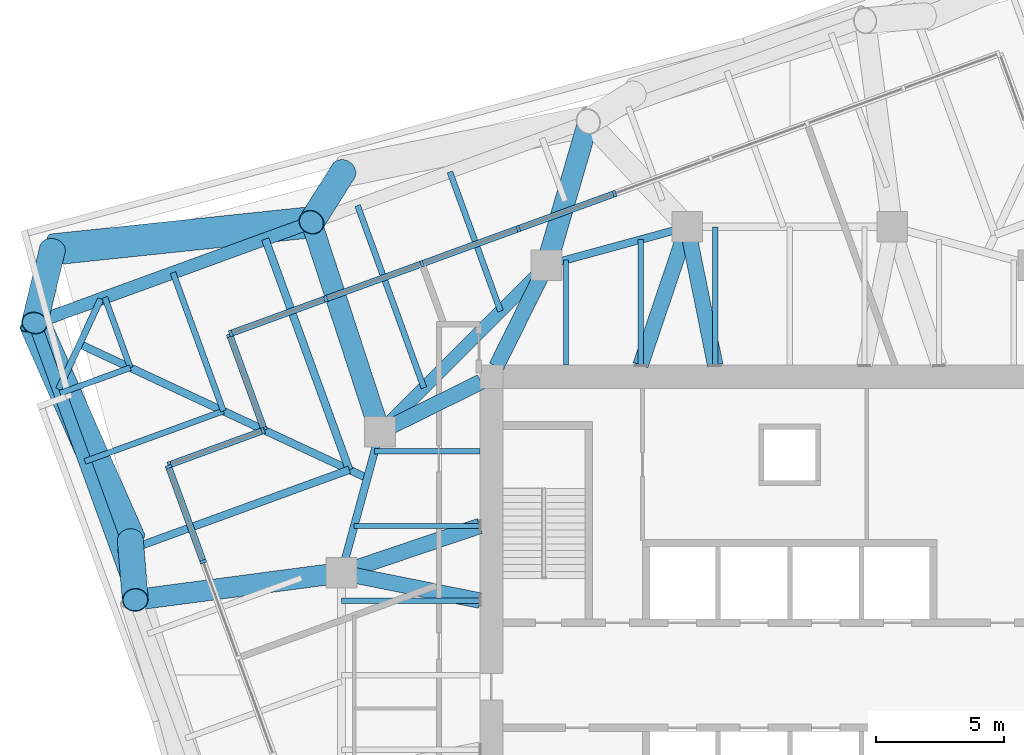
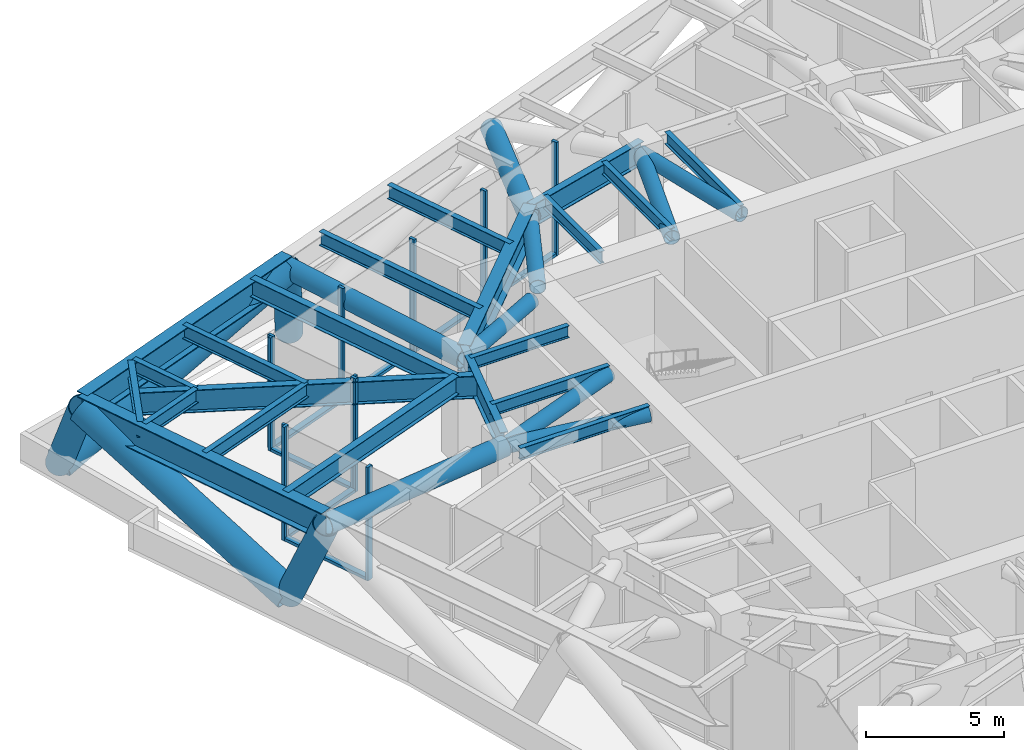
# One storey, part 4 of 12: 32 members, 21 beams, 4 elements without a shape of their own.
"""IFC4 building model written with IfcOpenShell, lengths in metres."""

from ifc_helpers import new_model, si_unit, direction, frame, origin, origin_2d, place, context, subcontext, project, spatial, rectangle, hollow_circle, i_section, extrude, material, material_profile, profile_set, type_object, element, aggregate, save


model = new_model("IFC4")

# Units and contexts
model_context = context("Model", 3, precision=1e-05, world=origin(), true_north=direction((0.0, 1.0)))
body_context = subcontext(model_context, "Body", "Model", "MODEL_VIEW")
ifc_project = project(units=[si_unit("LENGTHUNIT", "METRE"), si_unit("AREAUNIT", "SQUARE_METRE"), si_unit("VOLUMEUNIT", "CUBIC_METRE"), si_unit("PLANEANGLEUNIT", "RADIAN"), si_unit("MASSUNIT", "GRAM", prefix="KILO")], contexts=[model_context])

# Site, building, storey
site_placement = place(None, origin())
site = spatial("IfcSite", under=ifc_project, at=site_placement, CompositionType="ELEMENT")
building_placement = place(site_placement, origin())
building = spatial("IfcBuilding", under=site, at=building_placement, Name="Torsade Residences", CompositionType="ELEMENT")
storey_placement = place(building_placement, frame((0.0, 0.0, 138.800048828125)))
storey = spatial("IfcBuildingStorey", under=building, at=storey_placement, Name="L38", CompositionType="ELEMENT", Elevation=138.800048828125)

# Beams
ifc_material_1 = material(Name="Steel grade 300", Category="steel")
ifc_material_profile_1 = material_profile(ifc_material_1, i_section(OverallWidth=0.300048828125, OverallDepth=1.0, WebThickness=0.01611328125, FlangeThickness=0.028076171875, at=origin_2d()), Name="1000WB215")
ifc_profile_set_1 = profile_set([ifc_material_profile_1], Name="Steel grade 300")
beam_type_1 = type_object("IfcBeamType", Name="CORNER GIRDER 1000WB215", PredefinedType="BEAM", material=ifc_profile_set_1)
beam_1_placement = place(storey_placement, frame((12.282958984375, 42.924560546875, 4.349853515625), z_axis=(0.906308509373, -0.422616712682, 0.0), x_axis=(0.422616712682, 0.906308509373, 0.0)))
element("IfcBeam", 1, at=beam_1_placement, inside=storey, type_object=beam_type_1, Name="Corner girder 13 L39", PredefinedType="BEAM", context=body_context, shape_type="SweptSolid", body=[
    extrude(i_section(OverallWidth=0.300048828125, OverallDepth=1.0, WebThickness=0.01611328125, FlangeThickness=0.028076171875, at=origin_2d()), origin(), (0.0, 0.0, 1.0), 12.3837890625),
])
ifc_material_2 = material(Name="Steel grade 300", Category="steel")
ifc_material_profile_2 = material_profile(ifc_material_2, i_section(OverallWidth=0.25, OverallDepth=0.699951171875, WebThickness=0.010009765625, FlangeThickness=0.02001953125, at=origin_2d()), Name="700WB130")
ifc_profile_set_2 = profile_set([ifc_material_profile_2], Name="Steel grade 300")
beam_type_2 = type_object("IfcBeamType", Name="CORNER TRIMMER 700WB130", PredefinedType="BEAM", material=ifc_profile_set_2)
beam_2_placement = place(storey_placement, frame((11.461181640625, 41.162353515625, 4.5), z_axis=(0.422613947806, 0.906309798645, 0.0), x_axis=(-0.906309798645, 0.422613947806, 0.0)))
element("IfcBeam", 2, at=beam_2_placement, inside=storey, type_object=beam_type_2, Name="Corner trimmer 13 L39", PredefinedType="BEAM", context=body_context, shape_type="SweptSolid", body=[
    extrude(i_section(OverallWidth=0.25, OverallDepth=0.699951171875, WebThickness=0.010009765625, FlangeThickness=0.02001953125, at=origin_2d()), origin(), (0.0, 0.0, 1.0), 3.888916015625),
])
ifc_material_3 = material(Name="Steel grade 300", Category="steel")
ifc_material_profile_3 = material_profile(ifc_material_3, i_section(OverallWidth=0.208984375, OverallDepth=0.528076171875, WebThickness=0.009521484375, FlangeThickness=0.01318359375, FilletRadius=0.013916015625, at=origin_2d()), Name="530UB82.0")
ifc_profile_set_3 = profile_set([ifc_material_profile_3], Name="Steel grade 300")
beam_type_3 = type_object("IfcBeamType", Name="INNER FLOOR BEAM 530UB82.0", PredefinedType="JOIST", material=ifc_profile_set_3)
beam_3_placement = place(storey_placement, frame((31.262451171875, 42.10009765625, 4.5859375), z_axis=(0.0, 1.0, 0.0), x_axis=(-1.0, 0.0, 0.0)))
element("IfcBeam", 3, at=beam_3_placement, inside=storey, type_object=beam_type_3, Name="Inner floor beam IN01 L39", PredefinedType="JOIST", context=body_context, shape_type="SweptSolid", body=[
    extrude(i_section(OverallWidth=0.208984375, OverallDepth=0.528076171875, WebThickness=0.009521484375, FlangeThickness=0.01318359375, FilletRadius=0.013916015625, at=origin_2d()), origin(), (0.0, 0.0, 1.0), 4.10791015625),
])
beam_4_placement = place(storey_placement, frame((34.175048828125, 42.10009765625, 4.5859375), z_axis=(0.0, 1.0, 0.0), x_axis=(-1.0, 0.0, 0.0)))
element("IfcBeam", 4, at=beam_4_placement, inside=storey, type_object=beam_type_3, Name="Inner floor beam IN02 L39", PredefinedType="JOIST", context=body_context, shape_type="SweptSolid", body=[
    extrude(i_section(OverallWidth=0.208984375, OverallDepth=0.528076171875, WebThickness=0.009521484375, FlangeThickness=0.01318359375, FilletRadius=0.013916015625, at=origin_2d()), origin(), (0.0, 0.0, 1.0), 4.902099609375),
])
beam_5_placement = place(storey_placement, frame((37.08740234375, 42.10009765625, 4.5859375), z_axis=(0.0, 1.0, 0.0), x_axis=(-1.0, 0.0, 0.0)))
element("IfcBeam", 5, at=beam_5_placement, inside=storey, type_object=beam_type_3, Name="Inner floor beam IN03 L39", PredefinedType="JOIST", context=body_context, shape_type="SweptSolid", body=[
    extrude(i_section(OverallWidth=0.208984375, OverallDepth=0.528076171875, WebThickness=0.009521484375, FlangeThickness=0.01318359375, FilletRadius=0.013916015625, at=origin_2d()), origin(), (0.0, 0.0, 1.0), 5.39990234375),
])
beam_6_placement = place(storey_placement, frame((27.89990234375, 38.737548828125, 4.5859375), z_axis=(-1.0, 0.0, 0.0), x_axis=(0.0, -1.0, 0.0)))
element("IfcBeam", 6, at=beam_6_placement, inside=storey, type_object=beam_type_3, Name="Inner floor beam IW01 L39", PredefinedType="JOIST", context=body_context, shape_type="SweptSolid", body=[
    extrude(i_section(OverallWidth=0.208984375, OverallDepth=0.528076171875, WebThickness=0.009521484375, FlangeThickness=0.01318359375, FilletRadius=0.013916015625, at=origin_2d()), origin(), (0.0, 0.0, 1.0), 4.10791015625),
])
beam_7_placement = place(storey_placement, frame((27.89990234375, 35.824951171875, 4.5859375), z_axis=(-1.0, 0.0, 0.0), x_axis=(0.0, -1.0, 0.0)))
element("IfcBeam", 7, at=beam_7_placement, inside=storey, type_object=beam_type_3, Name="Inner floor beam IW02 L39", PredefinedType="JOIST", context=body_context, shape_type="SweptSolid", body=[
    extrude(i_section(OverallWidth=0.208984375, OverallDepth=0.528076171875, WebThickness=0.009521484375, FlangeThickness=0.01318359375, FilletRadius=0.013916015625, at=origin_2d()), origin(), (0.0, 0.0, 1.0), 4.902099609375),
])
beam_8_placement = place(storey_placement, frame((27.89990234375, 32.91259765625, 4.5859375), z_axis=(-1.0, 0.0, 0.0), x_axis=(0.0, -1.0, 0.0)))
element("IfcBeam", 8, at=beam_8_placement, inside=storey, type_object=beam_type_3, Name="Inner floor beam IW03 L39", PredefinedType="JOIST", context=body_context, shape_type="SweptSolid", body=[
    extrude(i_section(OverallWidth=0.208984375, OverallDepth=0.528076171875, WebThickness=0.009521484375, FlangeThickness=0.01318359375, FilletRadius=0.013916015625, at=origin_2d()), origin(), (0.0, 0.0, 1.0), 5.39990234375),
])
ifc_material_4 = material(Name="Steel grade 300", Category="steel")
ifc_material_profile_4 = material_profile(ifc_material_4, i_section(OverallWidth=0.5, OverallDepth=1.199951171875, WebThickness=0.01611328125, FlangeThickness=0.0400390625, at=origin_2d()), Name="1200WB455")
ifc_profile_set_4 = profile_set([ifc_material_profile_4], Name="Steel grade 300")
beam_type_4 = type_object("IfcBeamType", Name="RING CORNER GIRDER 1200WB455", PredefinedType="BEAM", material=ifc_profile_set_4)
beam_9_placement = place(storey_placement, frame((30.5, 46.0, 4.25), z_axis=(-0.707106781187, -0.707106781187, 0.0), x_axis=(0.707106781187, -0.707106781187, 0.0)))
element("IfcBeam", 9, at=beam_9_placement, inside=storey, type_object=beam_type_4, Name="Ring girder IR07 L39", PredefinedType="BEAM", context=body_context, shape_type="SweptSolid", body=[
    extrude(i_section(OverallWidth=0.5, OverallDepth=1.199951171875, WebThickness=0.01611328125, FlangeThickness=0.0400390625, at=origin_2d()), origin(), (0.0, 0.0, 1.0), 9.1923828125),
])
ifc_material_5 = material(Name="Steel grade 300", Category="steel")
ifc_material_profile_5 = material_profile(ifc_material_5, i_section(OverallWidth=0.300048828125, OverallDepth=1.0, WebThickness=0.01611328125, FlangeThickness=0.028076171875, at=origin_2d()), Name="1000WB215")
ifc_profile_set_5 = profile_set([ifc_material_profile_5], Name="Steel grade 300")
beam_type_5 = type_object("IfcBeamType", Name="RING GIRDER 1000WB215", PredefinedType="BEAM", material=ifc_profile_set_5)
for number, where, z_axis, x_axis, name in (
    (10, (36.0, 47.5, 4.349853515625), (-0.964763821238, -0.263117405792, 0.0), (0.263117405792, -0.964763821238, 0.0), "Ring girder IR06 L39"),
    (11, (24.0, 39.5, 4.349853515625), (-0.263117405792, -0.964763821238, 0.0), (0.964763821238, -0.263117405792, 0.0), "Ring girder IR08 L39"),
):
    element("IfcBeam", number, at=place(storey_placement, frame(where, z_axis=z_axis, x_axis=x_axis)), inside=storey, type_object=beam_type_5, Name=name, PredefinedType="BEAM", context=body_context, shape_type="SweptSolid", body=[
        extrude(i_section(OverallWidth=0.300048828125, OverallDepth=1.0, WebThickness=0.01611328125, FlangeThickness=0.028076171875, at=origin_2d()), origin(), (0.0, 0.0, 1.0), 5.700927734375),
    ])
ifc_material_6 = material(Name="Steel grade 300", Category="steel")
ifc_material_profile_6 = material_profile(ifc_material_6, i_section(OverallWidth=0.22900390625, OverallDepth=0.612060546875, WebThickness=0.011962890625, FlangeThickness=0.01953125, FilletRadius=0.013916015625, at=origin_2d()), Name="610UB125")
ifc_profile_set_6 = profile_set([ifc_material_profile_6], Name="Steel grade 300")
beam_type_6 = type_object("IfcBeamType", Name="SECONDARY BEAM 610UB125", PredefinedType="JOIST", material=ifc_profile_set_6)
beam_10_placement = place(storey_placement, frame((26.730224609375, 49.646240234375, 4.5439453125), z_axis=(0.342034409239, -0.939687428295, 0.0), x_axis=(0.939687428295, 0.342034409239, 0.0)))
element("IfcBeam", 12, at=beam_10_placement, inside=storey, type_object=beam_type_6, Name="Floor beam FN08 L39", PredefinedType="JOIST", context=body_context, shape_type="SweptSolid", body=[
    extrude(i_section(OverallWidth=0.22900390625, OverallDepth=0.612060546875, WebThickness=0.011962890625, FlangeThickness=0.01953125, FilletRadius=0.013916015625, at=origin_2d()), origin(), (0.0, 0.0, 1.0), 5.785888671875),
])
beam_11_placement = place(storey_placement, frame((23.128173828125, 48.335205078125, 4.5439453125), z_axis=(0.342027762686, -0.939689847531, 0.0), x_axis=(0.939689847531, 0.342027762686, 0.0)))
element("IfcBeam", 13, at=beam_11_placement, inside=storey, type_object=beam_type_6, Name="Floor beam FN09 L39", PredefinedType="JOIST", context=body_context, shape_type="SweptSolid", body=[
    extrude(i_section(OverallWidth=0.22900390625, OverallDepth=0.612060546875, WebThickness=0.011962890625, FlangeThickness=0.01953125, FilletRadius=0.013916015625, at=origin_2d()), origin(), (0.0, 0.0, 1.0), 7.573486328125),
])
beam_12_placement = place(storey_placement, frame((15.923828125, 45.713134765625, 4.5439453125), z_axis=(0.342005550448, -0.939697932031, 0.0), x_axis=(0.939697932031, 0.342005550448, 0.0)))
element("IfcBeam", 14, at=beam_12_placement, inside=storey, type_object=beam_type_6, Name="Floor beam FN11 L39", PredefinedType="JOIST", context=body_context, shape_type="SweptSolid", body=[
    extrude(i_section(OverallWidth=0.22900390625, OverallDepth=0.612060546875, WebThickness=0.011962890625, FlangeThickness=0.01953125, FilletRadius=0.013916015625, at=origin_2d()), origin(), (0.0, 0.0, 1.0), 5.75),
])
for number, where, z_axis, x_axis, name in (
    (15, (13.261474609375, 44.744140625, 4.5439453125), (0.341998427281, -0.939700524495, 0.0), (0.939700524495, 0.341998427281, 0.0), "Floor beam FN12 L39"),
    (16, (11.51806640625, 41.005615234375, 4.5439453125), (0.939700524495, 0.341998427281, 0.0), (-0.341998427281, 0.939700524495, 0.0), "Floor beam FW01 L39"),
):
    element("IfcBeam", number, at=place(storey_placement, frame(where, z_axis=z_axis, x_axis=x_axis)), inside=storey, type_object=beam_type_6, Name=name, PredefinedType="JOIST", context=body_context, shape_type="SweptSolid", body=[
        extrude(i_section(OverallWidth=0.22900390625, OverallDepth=0.612060546875, WebThickness=0.011962890625, FlangeThickness=0.01953125, FilletRadius=0.013916015625, at=origin_2d()), origin(), (0.0, 0.0, 1.0), 2.916748046875),
    ])
beam_13_placement = place(storey_placement, frame((12.4873046875, 38.34326171875, 4.5439453125), z_axis=(0.939692965423, 0.342019196443, 0.0), x_axis=(-0.342019196443, 0.939692965423, 0.0)))
element("IfcBeam", 17, at=beam_13_placement, inside=storey, type_object=beam_type_6, Name="Floor beam FW02 L39", PredefinedType="JOIST", context=body_context, shape_type="SweptSolid", body=[
    extrude(i_section(OverallWidth=0.22900390625, OverallDepth=0.612060546875, WebThickness=0.011962890625, FlangeThickness=0.01953125, FilletRadius=0.013916015625, at=origin_2d()), origin(), (0.0, 0.0, 1.0), 5.749755859375),
])
ifc_material_7 = material(Name="Steel grade 300", Category="steel")
ifc_material_profile_7 = material_profile(ifc_material_7, i_section(OverallWidth=0.300048828125, OverallDepth=0.800048828125, WebThickness=0.010009765625, FlangeThickness=0.02001953125, at=origin_2d()), Name="800WB146")
ifc_profile_set_7 = profile_set([ifc_material_profile_7], Name="Steel grade 300")
beam_type_7 = type_object("IfcBeamType", Name="SECONDARY BEAM 800WB146", PredefinedType="JOIST", material=ifc_profile_set_7)
for number, where, z_axis, x_axis, name in (
    (18, (19.52587890625, 47.024169921875, 4.449951171875), (0.342033504181, -0.939687757725, 0.0), (0.939687757725, 0.342033504181, 0.0), "Floor beam FN10 L39"),
    (19, (13.79833984375, 34.740966796875, 4.449951171875), (0.939687757725, 0.342033504181, 0.0), (-0.342033504181, 0.939687757725, 0.0), "Floor beam FW03 L39"),
):
    element("IfcBeam", number, at=place(storey_placement, frame(where, z_axis=z_axis, x_axis=x_axis)), inside=storey, type_object=beam_type_7, Name=name, PredefinedType="JOIST", context=body_context, shape_type="SweptSolid", body=[
        extrude(i_section(OverallWidth=0.300048828125, OverallDepth=0.800048828125, WebThickness=0.010009765625, FlangeThickness=0.02001953125, at=origin_2d()), origin(), (0.0, 0.0, 1.0), 9.583251953125),
    ])

# Curtain wall, members
ifc_material_8 = material(Name="Aluminium and glass", Category="aluminium")
curtain_wall_type = type_object("IfcCurtainWallType", Name="SKY LOUNGE CURTAIN WALL", PredefinedType="NOTDEFINED", material=ifc_material_8)
curtain_wall_1_placement = place(storey_placement, origin())
curtain_wall_1 = element("IfcCurtainWall", 20, at=curtain_wall_1_placement, inside=storey, type_object=curtain_wall_type, Name="Curtain wall L38 face 7", PredefinedType="NOTDEFINED")
ifc_material_9 = material(Name="Aluminium mullion", Category="aluminium")
ifc_material_profile_8 = material_profile(ifc_material_9, rectangle(XDim=0.25, YDim=0.1201171875, at=origin_2d()), Name="SKY LOUNGE CURTAIN WALL MULLION 250x120")
ifc_profile_set_8 = profile_set([ifc_material_profile_8], Name="Aluminium mullion")
member_type_1 = type_object("IfcMemberType", Name="SKY LOUNGE CURTAIN WALL MULLION 250x120", PredefinedType="MULLION", material=ifc_profile_set_8)
member_1_placement = place(storey_placement, frame((33.15966796875, 48.7939453125, 0.0), z_axis=(0.0, 0.0, 1.0), x_axis=(0.342020153379, -0.939692617127, 0.0)))
member_1 = element("IfcMember", 21, at=member_1_placement, type_object=member_type_1, Name="Mullion 5", PredefinedType="MULLION", context=body_context, shape_type="SweptSolid", body=[
    extrude(rectangle(XDim=0.25, YDim=0.1201171875, at=origin_2d()), origin(), (0.0, 0.0, 1.0), 5.0),
])
member_2_placement = place(storey_placement, frame((29.40087890625, 47.42578125, 0.0), z_axis=(0.0, 0.0, 1.0), x_axis=(0.342020153379, -0.939692617127, 0.0)))
member_2 = element("IfcMember", 22, at=member_2_placement, type_object=member_type_1, Name="Mullion 6", PredefinedType="MULLION", context=body_context, shape_type="SweptSolid", body=[
    extrude(rectangle(XDim=0.25, YDim=0.1201171875, at=origin_2d()), origin(), (0.0, 0.0, 1.0), 5.0),
])
member_3_placement = place(storey_placement, frame((25.64208984375, 46.0576171875, 0.0), z_axis=(0.0, 0.0, 1.0), x_axis=(0.342020153379, -0.939692617127, 0.0)))
member_3 = element("IfcMember", 23, at=member_3_placement, type_object=member_type_1, Name="Mullion 7", PredefinedType="MULLION", context=body_context, shape_type="SweptSolid", body=[
    extrude(rectangle(XDim=0.25, YDim=0.1201171875, at=origin_2d()), origin(), (0.0, 0.0, 1.0), 5.0),
])
member_4_placement = place(storey_placement, frame((21.88330078125, 44.689697265625, 0.0), z_axis=(0.0, 0.0, 1.0), x_axis=(0.342020153379, -0.939692617127, 0.0)))
member_4 = element("IfcMember", 24, at=member_4_placement, type_object=member_type_1, Name="Mullion 8", PredefinedType="MULLION", context=body_context, shape_type="SweptSolid", body=[
    extrude(rectangle(XDim=0.25, YDim=0.1201171875, at=origin_2d()), origin(), (0.0, 0.0, 1.0), 5.0),
])
member_5_placement = place(storey_placement, frame((18.180908203125, 43.342041015625, 0.0), z_axis=(0.0, 0.0, 1.0), x_axis=(0.342020153379, -0.939692617127, 0.0)))
member_5 = element("IfcMember", 25, at=member_5_placement, type_object=member_type_1, Name="Mullion 9", PredefinedType="MULLION", context=body_context, shape_type="SweptSolid", body=[
    extrude(rectangle(XDim=0.25, YDim=0.1201171875, at=origin_2d()), origin(), (0.0, 0.0, 1.0), 5.0),
])

curtain_wall_2_placement = place(storey_placement, origin())
curtain_wall_2 = element("IfcCurtainWall", 26, at=curtain_wall_2_placement, inside=storey, type_object=curtain_wall_type, Name="Curtain wall L38 face 8", PredefinedType="NOTDEFINED")
member_6_placement = place(storey_placement, frame((18.14501953125, 43.26513671875, 0.0), z_axis=(0.0, 0.0, 1.0), x_axis=(0.939692572374, 0.342020276336, 0.0)))
member_6 = element("IfcMember", 27, at=member_6_placement, type_object=member_type_1, Name="Mullion 1", PredefinedType="MULLION", context=body_context, shape_type="SweptSolid", body=[
    extrude(rectangle(XDim=0.25, YDim=0.1201171875, at=origin_2d()), origin(), (0.0, 0.0, 1.0), 5.0),
])
member_7_placement = place(storey_placement, frame((19.47216796875, 39.619140625, 0.0), z_axis=(0.0, 0.0, 1.0), x_axis=(0.939692572374, 0.342020276336, 0.0)))
member_7 = element("IfcMember", 28, at=member_7_placement, type_object=member_type_1, Name="Mullion 2", PredefinedType="MULLION", context=body_context, shape_type="SweptSolid", body=[
    extrude(rectangle(XDim=0.25, YDim=0.1201171875, at=origin_2d()), origin(), (0.0, 0.0, 1.0), 5.0),
])

curtain_wall_3_placement = place(storey_placement, origin())
curtain_wall_3 = element("IfcCurtainWall", 29, at=curtain_wall_3_placement, inside=storey, type_object=curtain_wall_type, Name="Curtain wall L38 face 9", PredefinedType="NOTDEFINED")
member_8_placement = place(storey_placement, frame((19.436279296875, 39.542236328125, 0.0), z_axis=(0.0, 0.0, 1.0), x_axis=(0.342020195988, -0.939692601618, 0.0)))
member_8 = element("IfcMember", 30, at=member_8_placement, type_object=member_type_1, Name="Mullion 1", PredefinedType="MULLION", context=body_context, shape_type="SweptSolid", body=[
    extrude(rectangle(XDim=0.25, YDim=0.1201171875, at=origin_2d()), origin(), (0.0, 0.0, 1.0), 5.0),
])
member_9_placement = place(storey_placement, frame((15.790283203125, 38.215087890625, 0.0), z_axis=(0.0, 0.0, 1.0), x_axis=(0.342020195988, -0.939692601618, 0.0)))
member_9 = element("IfcMember", 31, at=member_9_placement, type_object=member_type_1, Name="Mullion 2", PredefinedType="MULLION", context=body_context, shape_type="SweptSolid", body=[
    extrude(rectangle(XDim=0.25, YDim=0.1201171875, at=origin_2d()), origin(), (0.0, 0.0, 1.0), 5.0),
])

curtain_wall_4_placement = place(storey_placement, origin())
curtain_wall_4 = element("IfcCurtainWall", 32, at=curtain_wall_4_placement, inside=storey, type_object=curtain_wall_type, Name="Curtain wall L38 face 10", PredefinedType="NOTDEFINED")
member_10_placement = place(storey_placement, frame((15.75439453125, 38.13818359375, 0.0), z_axis=(0.0, 0.0, 1.0), x_axis=(0.939692617127, 0.342020153379, 0.0)))
member_10 = element("IfcMember", 33, at=member_10_placement, type_object=member_type_1, Name="Mullion 1", PredefinedType="MULLION", context=body_context, shape_type="SweptSolid", body=[
    extrude(rectangle(XDim=0.25, YDim=0.1201171875, at=origin_2d()), origin(), (0.0, 0.0, 1.0), 5.0),
])
member_11_placement = place(storey_placement, frame((17.101806640625, 34.435791015625, 0.0), z_axis=(0.0, 0.0, 1.0), x_axis=(0.939692617127, 0.342020153379, 0.0)))
member_11 = element("IfcMember", 34, at=member_11_placement, type_object=member_type_1, Name="Mullion 2", PredefinedType="MULLION", context=body_context, shape_type="SweptSolid", body=[
    extrude(rectangle(XDim=0.25, YDim=0.1201171875, at=origin_2d()), origin(), (0.0, 0.0, 1.0), 5.0),
])

# Member
ifc_material_10 = material(Name="Aluminium transom", Category="aluminium")
ifc_material_profile_9 = material_profile(ifc_material_10, rectangle(XDim=0.25, YDim=0.1298828125, at=origin_2d()), Name="SKY LOUNGE CURTAIN WALL TRANSOM 250x130")
ifc_profile_set_9 = profile_set([ifc_material_profile_9], Name="Aluminium transom")
member_type_2 = type_object("IfcMemberType", Name="SKY LOUNGE CURTAIN WALL TRANSOM 250x130", PredefinedType="USERDEFINED", material=ifc_profile_set_9)
member_12_placement = place(storey_placement, frame((33.103271484375, 48.7734375, 0.06494140625), z_axis=(-0.939683145577, -0.342046175128, 0.0), x_axis=(0.342046175128, -0.939683145577, 0.0)))
member_12 = element("IfcMember", 35, at=member_12_placement, type_object=member_type_2, Name="Transom 5.1", ObjectType="TRANSOM", PredefinedType="USERDEFINED", context=body_context, shape_type="SweptSolid", body=[
    extrude(rectangle(XDim=0.25, YDim=0.1298828125, at=origin_2d()), origin(), (0.0, 0.0, 1.0), 3.880126953125),
])

member_13_placement = place(storey_placement, frame((29.344482421875, 47.4052734375, 0.06494140625), z_axis=(-0.939683145577, -0.342046175128, 0.0), x_axis=(0.342046175128, -0.939683145577, 0.0)))
member_13 = element("IfcMember", 36, at=member_13_placement, type_object=member_type_2, Name="Transom 6.1", ObjectType="TRANSOM", PredefinedType="USERDEFINED", context=body_context, shape_type="SweptSolid", body=[
    extrude(rectangle(XDim=0.25, YDim=0.1298828125, at=origin_2d()), origin(), (0.0, 0.0, 1.0), 3.880126953125),
])

member_14_placement = place(storey_placement, frame((25.585693359375, 46.037109375, 0.06494140625), z_axis=(-0.939703368574, -0.341990612575, 0.0), x_axis=(0.341990612575, -0.939703368574, 0.0)))
member_14 = element("IfcMember", 37, at=member_14_placement, type_object=member_type_2, Name="Transom 7.1", ObjectType="TRANSOM", PredefinedType="USERDEFINED", context=body_context, shape_type="SweptSolid", body=[
    extrude(rectangle(XDim=0.25, YDim=0.1298828125, at=origin_2d()), origin(), (0.0, 0.0, 1.0), 3.8798828125),
])

member_15_placement = place(storey_placement, frame((21.826904296875, 44.669189453125, 0.06494140625), z_axis=(-0.939681412418, -0.342050936493, 0.0), x_axis=(0.342050936493, -0.939681412418, 0.0)))
member_15 = element("IfcMember", 38, at=member_15_placement, type_object=member_type_2, Name="Transom 8.1", ObjectType="TRANSOM", PredefinedType="USERDEFINED", context=body_context, shape_type="SweptSolid", body=[
    extrude(rectangle(XDim=0.25, YDim=0.1298828125, at=origin_2d()), origin(), (0.0, 0.0, 1.0), 3.820068359375),
])

aggregate(curtain_wall_1, [member_1, member_2, member_3, member_4, member_5, member_12, member_13, member_14, member_15])

member_16_placement = place(storey_placement, frame((18.16552734375, 43.208740234375, 0.06494140625), z_axis=(0.342055849832, -0.939679623912, 0.0), x_axis=(0.939679623912, 0.342055849832, 0.0)))
member_16 = element("IfcMember", 39, at=member_16_placement, type_object=member_type_2, Name="Transom 1.1", ObjectType="TRANSOM", PredefinedType="USERDEFINED", context=body_context, shape_type="SweptSolid", body=[
    extrude(rectangle(XDim=0.25, YDim=0.1298828125, at=origin_2d()), origin(), (0.0, 0.0, 1.0), 3.760009765625),
])

aggregate(curtain_wall_2, [member_6, member_7, member_16])

member_17_placement = place(storey_placement, frame((19.3798828125, 39.521728515625, 0.06494140625), z_axis=(-0.939700492897, -0.341998514102, 0.0), x_axis=(0.341998514102, -0.939700492897, 0.0)))
member_17 = element("IfcMember", 40, at=member_17_placement, type_object=member_type_2, Name="Transom 1.1", ObjectType="TRANSOM", PredefinedType="USERDEFINED", context=body_context, shape_type="SweptSolid", body=[
    extrude(rectangle(XDim=0.25, YDim=0.1298828125, at=origin_2d()), origin(), (0.0, 0.0, 1.0), 3.760009765625),
])

aggregate(curtain_wall_3, [member_8, member_9, member_17])

member_18_placement = place(storey_placement, frame((15.77490234375, 38.08203125, 0.06494140625), z_axis=(0.341973962761, -0.939709427852, 0.0), x_axis=(0.939709427852, 0.341973962761, 0.0)))
member_18 = element("IfcMember", 41, at=member_18_placement, type_object=member_type_2, Name="Transom 1.1", ObjectType="TRANSOM", PredefinedType="USERDEFINED", context=body_context, shape_type="SweptSolid", body=[
    extrude(rectangle(XDim=0.25, YDim=0.1298828125, at=origin_2d()), origin(), (0.0, 0.0, 1.0), 3.820068359375),
])

aggregate(curtain_wall_4, [member_10, member_11, member_18])

# Members
ifc_material_11 = material(Name="Steel grade 450", Category="steel")
ifc_material_profile_10 = material_profile(ifc_material_11, hollow_circle(Radius=0.304931640625, WallThickness=0.01611328125, at=origin_2d()), Name="610.0x16.0CHS")
ifc_profile_set_10 = profile_set([ifc_material_profile_10], Name="Steel grade 450")
member_type_3 = type_object("IfcMemberType", Name="TRANSFER FLOOR BRACE 610.0x16.0CHS", PredefinedType="BRACE", material=ifc_profile_set_10)
member_19_placement = place(storey_placement, frame((36.0, 47.5, 4.25), z_axis=(0.197299045909, -0.97976207845, 0.03375434957), x_axis=(0.980320704809, 0.197411538983, 0.0)))
element("IfcMember", 42, at=member_19_placement, inside=storey, type_object=member_type_3, Name="Transfer floor brace TT4 top IR06IN03", PredefinedType="BRACE", context=body_context, shape_type="SweptSolid", body=[
    extrude(hollow_circle(Radius=0.304931640625, WallThickness=0.01611328125, at=origin_2d()), origin(), (0.0, 0.0, 1.0), 5.511474609375),
])
member_20_placement = place(storey_placement, frame((36.0, 47.5, 4.25), z_axis=(-0.319999474368, -0.946855969774, 0.032620682203), x_axis=(0.947360151124, -0.320169867513, 0.0)))
element("IfcMember", 43, at=member_20_placement, inside=storey, type_object=member_type_3, Name="Transfer floor brace TT4 top IR06IN02", PredefinedType="BRACE", context=body_context, shape_type="SweptSolid", body=[
    extrude(hollow_circle(Radius=0.304931640625, WallThickness=0.01611328125, at=origin_2d()), origin(), (0.0, 0.0, 1.0), 5.702880859375),
])
for number, where, z_axis, x_axis, name in (
    (44, (30.5, 46.0, 4.25), (-0.443105036702, -0.896469701914, 0.0), (0.896469701914, -0.443105036702, 0.0), "Transfer floor brace TT4 top IR07C"),
    (45, (24.0, 39.5, 4.25), (0.896469701914, 0.443105036702, 0.0), (-0.443105036702, 0.896469701914, 0.0), "Transfer floor brace TT4 top IR08C"),
):
    element("IfcMember", number, at=place(storey_placement, frame(where, z_axis=z_axis, x_axis=x_axis)), inside=storey, type_object=member_type_3, Name=name, PredefinedType="BRACE", context=body_context, shape_type="SweptSolid", body=[
        extrude(hollow_circle(Radius=0.304931640625, WallThickness=0.01611328125, at=origin_2d()), origin(), (0.0, 0.0, 1.0), 4.40234375),
    ])
member_21_placement = place(storey_placement, frame((22.5, 34.0, 4.25), z_axis=(0.97976207845, -0.197299045909, 0.03375434957), x_axis=(0.197411538983, 0.980320704809, 0.0)))
element("IfcMember", 46, at=member_21_placement, inside=storey, type_object=member_type_3, Name="Transfer floor brace TT4 top IR09IW03", PredefinedType="BRACE", context=body_context, shape_type="SweptSolid", body=[
    extrude(hollow_circle(Radius=0.304931640625, WallThickness=0.01611328125, at=origin_2d()), origin(), (0.0, 0.0, 1.0), 5.511474609375),
])
member_22_placement = place(storey_placement, frame((22.5, 34.0, 4.25), z_axis=(0.946855969774, 0.319999474368, 0.032620682203), x_axis=(-0.320169867513, 0.947360151124, 0.0)))
element("IfcMember", 47, at=member_22_placement, inside=storey, type_object=member_type_3, Name="Transfer floor brace TT4 top IR09IW02", PredefinedType="BRACE", context=body_context, shape_type="SweptSolid", body=[
    extrude(hollow_circle(Radius=0.304931640625, WallThickness=0.01611328125, at=origin_2d()), origin(), (0.0, 0.0, 1.0), 5.702880859375),
])
ifc_material_12 = material(Name="Steel grade 450", Category="steel")
ifc_material_profile_11 = material_profile(ifc_material_12, hollow_circle(Radius=0.406494140625, WallThickness=0.02490234375, at=origin_2d()), Name="813.0x25.0CHS")
ifc_profile_set_11 = profile_set([ifc_material_profile_11], Name="Steel grade 450")
member_type_4 = type_object("IfcMemberType", Name="TRANSFER FLOOR STRUT 813.0x25.0CHS", PredefinedType="STRUT", material=ifc_profile_set_11)
member_23_placement = place(storey_placement, frame((32.133544921875, 51.613037109375, 4.25), z_axis=(-0.279433850327, -0.960164945877, 0.0), x_axis=(0.960164945877, -0.279433850327, 0.0)))
element("IfcMember", 48, at=member_23_placement, inside=storey, type_object=member_type_4, Name="Transfer floor strut TT4 top 11IR07", PredefinedType="STRUT", context=body_context, shape_type="SweptSolid", body=[
    extrude(hollow_circle(Radius=0.406494140625, WallThickness=0.02490234375, at=origin_2d()), origin(), (0.0, 0.0, 1.0), 5.845947265625),
])
member_24_placement = place(storey_placement, frame((21.3271484375, 47.6796875, 4.25), z_axis=(0.310604780972, -0.95053914703, 0.0), x_axis=(0.95053914703, 0.310604780972, 0.0)))
element("IfcMember", 49, at=member_24_placement, inside=storey, type_object=member_type_4, Name="Transfer floor strut TT4 top 12IR08", PredefinedType="STRUT", context=body_context, shape_type="SweptSolid", body=[
    extrude(hollow_circle(Radius=0.406494140625, WallThickness=0.02490234375, at=origin_2d()), origin(), (0.0, 0.0, 1.0), 8.605224609375),
])
member_25_placement = place(storey_placement, frame((14.453857421875, 32.93994140625, 4.25), z_axis=(0.991432677347, 0.130618705739, 0.0), x_axis=(-0.130618705739, 0.991432677347, 0.0)))
element("IfcMember", 50, at=member_25_placement, inside=storey, type_object=member_type_4, Name="Transfer floor strut TT4 top 14IR09", PredefinedType="STRUT", context=body_context, shape_type="SweptSolid", body=[
    extrude(hollow_circle(Radius=0.406494140625, WallThickness=0.02490234375, at=origin_2d()), origin(), (0.0, 0.0, 1.0), 8.11572265625),
])

# Beams
ifc_material_13 = material(Name="Steel grade 300", Category="steel")
ifc_material_profile_12 = material_profile(ifc_material_13, i_section(OverallWidth=0.5, OverallDepth=1.199951171875, WebThickness=0.01611328125, FlangeThickness=0.0400390625, at=origin_2d()), Name="1200WB455")
ifc_profile_set_12 = profile_set([ifc_material_profile_12], Name="Steel grade 300")
beam_type_8 = type_object("IfcBeamType", Name="TRANSFER TRUSS CHORD 1200WB455", PredefinedType="USERDEFINED", material=ifc_profile_set_12)
beam_14_placement = place(storey_placement, frame((21.3271484375, 47.6796875, 4.25), z_axis=(-0.939697932031, -0.342005550448, 0.0), x_axis=(0.342005550448, -0.939697932031, 0.0)))
element("IfcBeam", 51, at=beam_14_placement, inside=storey, type_object=beam_type_8, Name="Transfer truss TT4 top chord 12", ObjectType="TRANSFER TRUSS CHORD", PredefinedType="USERDEFINED", context=body_context, shape_type="SweptSolid", body=[
    extrude(i_section(OverallWidth=0.5, OverallDepth=1.199951171875, WebThickness=0.01611328125, FlangeThickness=0.0400390625, at=origin_2d()), origin(), (0.0, 0.0, 1.0), 11.5),
])
beam_15_placement = place(storey_placement, frame((10.5205078125, 43.74658203125, 4.25), z_axis=(0.342024296483, -0.93969110915, 0.0), x_axis=(0.93969110915, 0.342024296483, 0.0)))
element("IfcBeam", 52, at=beam_15_placement, inside=storey, type_object=beam_type_8, Name="Transfer truss TT4 top chord 13", ObjectType="TRANSFER TRUSS CHORD", PredefinedType="USERDEFINED", context=body_context, shape_type="SweptSolid", body=[
    extrude(i_section(OverallWidth=0.5, OverallDepth=1.199951171875, WebThickness=0.01611328125, FlangeThickness=0.0400390625, at=origin_2d()), origin(), (0.0, 0.0, 1.0), 11.500244140625),
])

# Members
ifc_material_14 = material(Name="Steel grade 450", Category="steel")
ifc_material_profile_13 = material_profile(ifc_material_14, hollow_circle(Radius=0.609619140625, WallThickness=0.0400390625, at=origin_2d()), Name="1219.0x40.0CHS")
ifc_profile_set_13 = profile_set([ifc_material_profile_13], Name="Steel grade 450")
member_type_5 = type_object("IfcMemberType", Name="TRANSFER TRUSS DIAGONAL 1219.0x40.0CHS", PredefinedType="BRACE", material=ifc_profile_set_13)
member_26_placement = place(storey_placement, frame((11.218505859375, 46.616943359375, -0.199951171875), z_axis=(0.911035575371, 0.095779202019, 0.401049279852), x_axis=(-0.104556000724, 0.99451900068, 0.0)))
element("IfcMember", 53, at=member_26_placement, inside=storey, type_object=member_type_5, Name="Transfer truss TT4 diagonal 12", PredefinedType="BRACE", context=body_context, shape_type="SweptSolid", body=[
    extrude(hollow_circle(Radius=0.609619140625, WallThickness=0.0400390625, at=origin_2d()), origin(), (0.0, 0.0, 1.0), 11.095703125),
])
member_27_placement = place(storey_placement, frame((14.259521484375, 35.267333984375, -0.199951171875), z_axis=(-0.36371463984, 0.824823581866, 0.432871481578), x_axis=(-0.914990755419, -0.403474804044, 0.0)))
element("IfcMember", 54, at=member_27_placement, inside=storey, type_object=member_type_5, Name="Transfer truss TT4 diagonal 13", PredefinedType="BRACE", context=body_context, shape_type="SweptSolid", body=[
    extrude(hollow_circle(Radius=0.609619140625, WallThickness=0.0400390625, at=origin_2d()), origin(), (0.0, 0.0, 1.0), 10.280029296875),
])
ifc_material_15 = material(Name="Steel grade 450", Category="steel")
ifc_material_profile_14 = material_profile(ifc_material_15, hollow_circle(Radius=0.508056640625, WallThickness=0.031982421875, at=origin_2d()), Name="1016.0x32.0CHS")
ifc_profile_set_14 = profile_set([ifc_material_profile_14], Name="Steel grade 450")
member_type_6 = type_object("IfcMemberType", Name="TRANSFER TRUSS RAKING STRUT 1016.0x32.0CHS", PredefinedType="STRUT", material=ifc_profile_set_14)
member_28_placement = place(storey_placement, frame((22.568115234375, 49.658203125, -0.199951171875), z_axis=(-0.24692941126, -0.393687969477, 0.885457875081), x_axis=(0.84715154819, -0.531351347415, 0.0)))
element("IfcMember", 55, at=member_28_placement, inside=storey, type_object=member_type_6, Name="Transfer truss TT4 raking strut 12", PredefinedType="STRUT", context=body_context, shape_type="SweptSolid", body=[
    extrude(hollow_circle(Radius=0.508056640625, WallThickness=0.031982421875, at=origin_2d()), origin(), (0.0, 0.0, 1.0), 5.025634765625),
])
member_29_placement = place(storey_placement, frame((11.218505859375, 46.616943359375, -0.199951171875), z_axis=(-0.130682282457, -0.537401747063, 0.833139546118), x_axis=(0.971682990579, -0.236288310799, 0.0)))
element("IfcMember", 56, at=member_29_placement, inside=storey, type_object=member_type_6, Name="Transfer truss TT4 raking strut 13", PredefinedType="STRUT", context=body_context, shape_type="SweptSolid", body=[
    extrude(hollow_circle(Radius=0.508056640625, WallThickness=0.031982421875, at=origin_2d()), origin(), (0.0, 0.0, 1.0), 5.341064453125),
])
member_30_placement = place(storey_placement, frame((14.259521484375, 35.267333984375, -0.199951171875), z_axis=(0.038669252678, -0.463108022338, 0.885457875081), x_axis=(0.996532047001, 0.083209850982, 0.0)))
element("IfcMember", 57, at=member_30_placement, inside=storey, type_object=member_type_6, Name="Transfer truss TT4 raking strut 14", PredefinedType="STRUT", context=body_context, shape_type="SweptSolid", body=[
    extrude(hollow_circle(Radius=0.508056640625, WallThickness=0.031982421875, at=origin_2d()), origin(), (0.0, 0.0, 1.0), 5.025634765625),
])

save(model, "model.ifc")
